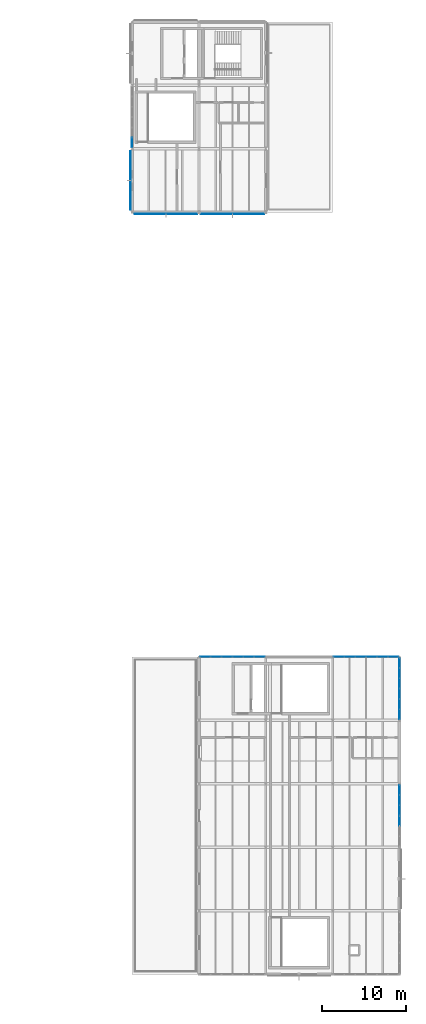
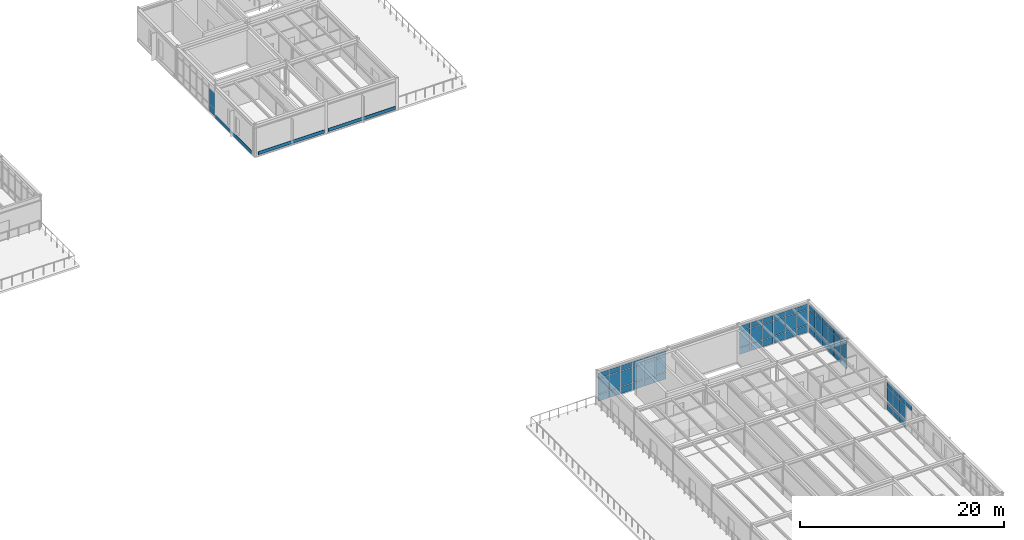
# One storey, part 45 of 65: 69 plates, 5 elements without a shape of their own.
"""IFC4 building model written with IfcOpenShell, lengths in metres."""

from ifc_helpers import new_model, si_unit, direction, frame, origin, origin_2d, place, context, subcontext, project, spatial, rectangle, extrude, material, layer, layer_set, type_object, element, aggregate, save


model = new_model("IFC4")

# Units and contexts
model_context = context("Model", 3, precision=1e-05, world=origin(), true_north=direction((0.0, 1.0)))
body_context = subcontext(model_context, "Body", "Model", "MODEL_VIEW")
ifc_project = project(units=[si_unit("LENGTHUNIT", "METRE"), si_unit("AREAUNIT", "SQUARE_METRE"), si_unit("VOLUMEUNIT", "CUBIC_METRE"), si_unit("PLANEANGLEUNIT", "RADIAN"), si_unit("MASSUNIT", "GRAM", prefix="KILO")], contexts=[model_context])

# Site, building, storey
site_placement = place(None, origin())
site = spatial("IfcSite", under=ifc_project, at=site_placement, CompositionType="ELEMENT")
building_placement = place(site_placement, origin())
building = spatial("IfcBuilding", under=site, at=building_placement, Name="Montecoro Central Library", CompositionType="ELEMENT")
storey_placement = place(building_placement, frame((0.0, 0.0, 17.340087890625)))
storey = spatial("IfcBuildingStorey", under=building, at=storey_placement, Name="L04", CompositionType="ELEMENT", Elevation=17.340087890625)

# Curtain wall, plates
ifc_material_1 = material(Name="Bronze-anodised aluminium and low-E glazing", Category="aluminium")
ifc_layer_1 = layer(ifc_material_1, 0.159912109375)
ifc_layer_set_1 = layer_set([ifc_layer_1], Name="Bronze-anodised aluminium and low-E glazing")
curtain_wall_type_1 = type_object("IfcCurtainWallType", Name="CWT-074", PredefinedType="NOTDEFINED", material=ifc_layer_set_1)
curtain_wall_1_placement = place(storey_placement, origin())
curtain_wall_1 = element("IfcCurtainWall", 1, at=curtain_wall_1_placement, inside=storey, type_object=curtain_wall_type_1, Name="V6-L04-CW-N0", PredefinedType="NOTDEFINED")
ifc_material_2 = material(Name="Laminated low-E double glazing", Category="glass")
ifc_layer_2 = layer(ifc_material_2, 0.02587890625)
ifc_layer_set_2 = layer_set([ifc_layer_2], Name="Laminated low-E double glazing")
plate_type_1 = type_object("IfcPlateType", Name="CWP-GLZ-01", PredefinedType="CURTAIN_PANEL", material=ifc_layer_set_2)
plate_1_placement = place(storey_placement, frame((156.24072265625, 43.0, 0.059814453125), z_axis=(0.0, 0.0, 1.0), x_axis=(-1.0, 0.0, 0.0)))
plate_1 = element("IfcPlate", 2, at=plate_1_placement, type_object=plate_type_1, Name="CW-074 panel 1.1", PredefinedType="CURTAIN_PANEL", context=body_context, shape_type="SweptSolid", body=[
    extrude(rectangle(XDim=1.21240234375, YDim=0.02587890625, at=origin_2d()), origin(), (0.0, 0.0, 1.0), 0.81005859375),
])
plate_2_placement = place(storey_placement, frame((156.24072265625, 43.0, 0.9296875), z_axis=(0.0, 0.0, 1.0), x_axis=(-1.0, 0.0, 0.0)))
plate_2 = element("IfcPlate", 3, at=plate_2_placement, type_object=plate_type_1, Name="CW-074 panel 1.2", PredefinedType="CURTAIN_PANEL", context=body_context, shape_type="SweptSolid", body=[
    extrude(rectangle(XDim=1.21240234375, YDim=0.02587890625, at=origin_2d()), origin(), (0.0, 0.0, 1.0), 1.820068359375),
])
plate_3_placement = place(storey_placement, frame((156.24072265625, 43.0, 2.81005859375), z_axis=(0.0, 0.0, 1.0), x_axis=(-1.0, 0.0, 0.0)))
plate_3 = element("IfcPlate", 4, at=plate_3_placement, type_object=plate_type_1, Name="CW-074 panel 1.3", PredefinedType="CURTAIN_PANEL", context=body_context, shape_type="SweptSolid", body=[
    extrude(rectangle(XDim=1.21240234375, YDim=0.02587890625, at=origin_2d()), origin(), (0.0, 0.0, 1.0), 0.610107421875),
])
plate_4_placement = place(storey_placement, frame((154.95361328125, 43.0, 0.059814453125), z_axis=(0.0, 0.0, 1.0), x_axis=(-1.0, 0.0, 0.0)))
plate_4 = element("IfcPlate", 5, at=plate_4_placement, type_object=plate_type_1, Name="CW-074 panel 2.1", PredefinedType="CURTAIN_PANEL", context=body_context, shape_type="SweptSolid", body=[
    extrude(rectangle(XDim=1.242431640625, YDim=0.02587890625, at=origin_2d()), origin(), (0.0, 0.0, 1.0), 0.81005859375),
])
plate_5_placement = place(storey_placement, frame((154.95361328125, 43.0, 0.9296875), z_axis=(0.0, 0.0, 1.0), x_axis=(-1.0, 0.0, 0.0)))
plate_5 = element("IfcPlate", 6, at=plate_5_placement, type_object=plate_type_1, Name="CW-074 panel 2.2", PredefinedType="CURTAIN_PANEL", context=body_context, shape_type="SweptSolid", body=[
    extrude(rectangle(XDim=1.242431640625, YDim=0.02587890625, at=origin_2d()), origin(), (0.0, 0.0, 1.0), 1.820068359375),
])
plate_6_placement = place(storey_placement, frame((154.95361328125, 43.0, 2.81005859375), z_axis=(0.0, 0.0, 1.0), x_axis=(-1.0, 0.0, 0.0)))
plate_6 = element("IfcPlate", 7, at=plate_6_placement, type_object=plate_type_1, Name="CW-074 panel 2.3", PredefinedType="CURTAIN_PANEL", context=body_context, shape_type="SweptSolid", body=[
    extrude(rectangle(XDim=1.242431640625, YDim=0.02587890625, at=origin_2d()), origin(), (0.0, 0.0, 1.0), 0.610107421875),
])
plate_7_placement = place(storey_placement, frame((153.651123046875, 43.0, 0.059814453125), z_axis=(0.0, 0.0, 1.0), x_axis=(-1.0, 0.0, 0.0)))
plate_7 = element("IfcPlate", 8, at=plate_7_placement, type_object=plate_type_1, Name="CW-074 panel 3.1", PredefinedType="CURTAIN_PANEL", context=body_context, shape_type="SweptSolid", body=[
    extrude(rectangle(XDim=1.242431640625, YDim=0.02587890625, at=origin_2d()), origin(), (0.0, 0.0, 1.0), 0.81005859375),
])
plate_8_placement = place(storey_placement, frame((153.651123046875, 43.0, 0.9296875), z_axis=(0.0, 0.0, 1.0), x_axis=(-1.0, 0.0, 0.0)))
plate_8 = element("IfcPlate", 9, at=plate_8_placement, type_object=plate_type_1, Name="CW-074 panel 3.2", PredefinedType="CURTAIN_PANEL", context=body_context, shape_type="SweptSolid", body=[
    extrude(rectangle(XDim=1.242431640625, YDim=0.02587890625, at=origin_2d()), origin(), (0.0, 0.0, 1.0), 1.820068359375),
])
plate_9_placement = place(storey_placement, frame((153.651123046875, 43.0, 2.81005859375), z_axis=(0.0, 0.0, 1.0), x_axis=(-1.0, 0.0, 0.0)))
plate_9 = element("IfcPlate", 10, at=plate_9_placement, type_object=plate_type_1, Name="CW-074 panel 3.3", PredefinedType="CURTAIN_PANEL", context=body_context, shape_type="SweptSolid", body=[
    extrude(rectangle(XDim=1.242431640625, YDim=0.02587890625, at=origin_2d()), origin(), (0.0, 0.0, 1.0), 0.610107421875),
])
plate_10_placement = place(storey_placement, frame((152.348876953125, 43.0, 0.059814453125), z_axis=(0.0, 0.0, 1.0), x_axis=(-1.0, 0.0, 0.0)))
plate_10 = element("IfcPlate", 11, at=plate_10_placement, type_object=plate_type_1, Name="CW-074 panel 4.1", PredefinedType="CURTAIN_PANEL", context=body_context, shape_type="SweptSolid", body=[
    extrude(rectangle(XDim=1.242431640625, YDim=0.02587890625, at=origin_2d()), origin(), (0.0, 0.0, 1.0), 0.81005859375),
])
plate_11_placement = place(storey_placement, frame((152.348876953125, 43.0, 0.9296875), z_axis=(0.0, 0.0, 1.0), x_axis=(-1.0, 0.0, 0.0)))
plate_11 = element("IfcPlate", 12, at=plate_11_placement, type_object=plate_type_1, Name="CW-074 panel 4.2", PredefinedType="CURTAIN_PANEL", context=body_context, shape_type="SweptSolid", body=[
    extrude(rectangle(XDim=1.242431640625, YDim=0.02587890625, at=origin_2d()), origin(), (0.0, 0.0, 1.0), 1.820068359375),
])
plate_12_placement = place(storey_placement, frame((152.348876953125, 43.0, 2.81005859375), z_axis=(0.0, 0.0, 1.0), x_axis=(-1.0, 0.0, 0.0)))
plate_12 = element("IfcPlate", 13, at=plate_12_placement, type_object=plate_type_1, Name="CW-074 panel 4.3", PredefinedType="CURTAIN_PANEL", context=body_context, shape_type="SweptSolid", body=[
    extrude(rectangle(XDim=1.242431640625, YDim=0.02587890625, at=origin_2d()), origin(), (0.0, 0.0, 1.0), 0.610107421875),
])
plate_13_placement = place(storey_placement, frame((151.04638671875, 43.0, 0.059814453125), z_axis=(0.0, 0.0, 1.0), x_axis=(-1.0, 0.0, 0.0)))
plate_13 = element("IfcPlate", 14, at=plate_13_placement, type_object=plate_type_1, Name="CW-074 panel 5.1", PredefinedType="CURTAIN_PANEL", context=body_context, shape_type="SweptSolid", body=[
    extrude(rectangle(XDim=1.242431640625, YDim=0.02587890625, at=origin_2d()), origin(), (0.0, 0.0, 1.0), 0.81005859375),
])
plate_14_placement = place(storey_placement, frame((151.04638671875, 43.0, 0.9296875), z_axis=(0.0, 0.0, 1.0), x_axis=(-1.0, 0.0, 0.0)))
plate_14 = element("IfcPlate", 15, at=plate_14_placement, type_object=plate_type_1, Name="CW-074 panel 5.2", PredefinedType="CURTAIN_PANEL", context=body_context, shape_type="SweptSolid", body=[
    extrude(rectangle(XDim=1.242431640625, YDim=0.02587890625, at=origin_2d()), origin(), (0.0, 0.0, 1.0), 1.820068359375),
])
plate_15_placement = place(storey_placement, frame((151.04638671875, 43.0, 2.81005859375), z_axis=(0.0, 0.0, 1.0), x_axis=(-1.0, 0.0, 0.0)))
plate_15 = element("IfcPlate", 16, at=plate_15_placement, type_object=plate_type_1, Name="CW-074 panel 5.3", PredefinedType="CURTAIN_PANEL", context=body_context, shape_type="SweptSolid", body=[
    extrude(rectangle(XDim=1.242431640625, YDim=0.02587890625, at=origin_2d()), origin(), (0.0, 0.0, 1.0), 0.610107421875),
])
plate_16_placement = place(storey_placement, frame((149.75927734375, 43.0, 0.059814453125), z_axis=(0.0, 0.0, 1.0), x_axis=(-1.0, 0.0, 0.0)))
plate_16 = element("IfcPlate", 17, at=plate_16_placement, type_object=plate_type_1, Name="CW-074 panel 6.1", PredefinedType="CURTAIN_PANEL", context=body_context, shape_type="SweptSolid", body=[
    extrude(rectangle(XDim=1.21240234375, YDim=0.02587890625, at=origin_2d()), origin(), (0.0, 0.0, 1.0), 0.81005859375),
])
plate_17_placement = place(storey_placement, frame((149.75927734375, 43.0, 0.9296875), z_axis=(0.0, 0.0, 1.0), x_axis=(-1.0, 0.0, 0.0)))
plate_17 = element("IfcPlate", 18, at=plate_17_placement, type_object=plate_type_1, Name="CW-074 panel 6.2", PredefinedType="CURTAIN_PANEL", context=body_context, shape_type="SweptSolid", body=[
    extrude(rectangle(XDim=1.21240234375, YDim=0.02587890625, at=origin_2d()), origin(), (0.0, 0.0, 1.0), 1.820068359375),
])
plate_18_placement = place(storey_placement, frame((149.75927734375, 43.0, 2.81005859375), z_axis=(0.0, 0.0, 1.0), x_axis=(-1.0, 0.0, 0.0)))
plate_18 = element("IfcPlate", 19, at=plate_18_placement, type_object=plate_type_1, Name="CW-074 panel 6.3", PredefinedType="CURTAIN_PANEL", context=body_context, shape_type="SweptSolid", body=[
    extrude(rectangle(XDim=1.21240234375, YDim=0.02587890625, at=origin_2d()), origin(), (0.0, 0.0, 1.0), 0.610107421875),
])
aggregate(curtain_wall_1, [plate_1, plate_2, plate_3, plate_4, plate_5, plate_6, plate_7, plate_8, plate_9, plate_10, plate_11, plate_12, plate_13, plate_14, plate_15, plate_16, plate_17, plate_18])

ifc_layer_3 = layer(ifc_material_1, 0.159912109375)
ifc_layer_set_3 = layer_set([ifc_layer_3], Name="Bronze-anodised aluminium and low-E glazing")
curtain_wall_type_2 = type_object("IfcCurtainWallType", Name="CWT-056", PredefinedType="NOTDEFINED", material=ifc_layer_set_3)
curtain_wall_2_placement = place(storey_placement, origin())
curtain_wall_2 = element("IfcCurtainWall", 20, at=curtain_wall_2_placement, inside=storey, type_object=curtain_wall_type_2, Name="V5-L04-CW-W1", PredefinedType="NOTDEFINED")
ifc_layer_4 = layer(ifc_material_2, 0.030029296875)
ifc_layer_set_4 = layer_set([ifc_layer_4], Name="Laminated low-E double glazing")
plate_type_2 = type_object("IfcPlateType", Name="CWP-GLZ-02", PredefinedType="CURTAIN_PANEL", material=ifc_layer_set_4)
plate_19_placement = place(storey_placement, frame((141.0, 104.52587890625, 0.059814453125), z_axis=(0.0, 0.0, 1.0), x_axis=(0.0, -1.0, 0.0)))
plate_19 = element("IfcPlate", 21, at=plate_19_placement, type_object=plate_type_2, Name="CW-056 panel 6.1", PredefinedType="CURTAIN_PANEL", context=body_context, shape_type="SweptSolid", body=[
    extrude(rectangle(XDim=1.145751953125, YDim=0.030029296875, at=origin_2d()), origin(), (0.0, 0.0, 1.0), 0.81005859375),
])
plate_20_placement = place(storey_placement, frame((141.0, 104.52587890625, 0.9296875), z_axis=(0.0, 0.0, 1.0), x_axis=(0.0, -1.0, 0.0)))
plate_20 = element("IfcPlate", 22, at=plate_20_placement, type_object=plate_type_2, Name="CW-056 panel 6.2", PredefinedType="CURTAIN_PANEL", context=body_context, shape_type="SweptSolid", body=[
    extrude(rectangle(XDim=1.145751953125, YDim=0.030029296875, at=origin_2d()), origin(), (0.0, 0.0, 1.0), 1.820068359375),
])
aggregate(curtain_wall_2, [plate_19, plate_20])

ifc_layer_5 = layer(ifc_material_1, 0.159912109375)
ifc_layer_set_5 = layer_set([ifc_layer_5], Name="Bronze-anodised aluminium and low-E glazing")
curtain_wall_type_3 = type_object("IfcCurtainWallType", Name="CWT-073", PredefinedType="NOTDEFINED", material=ifc_layer_set_5)
curtain_wall_3_placement = place(storey_placement, origin())
curtain_wall_3 = element("IfcCurtainWall", 23, at=curtain_wall_3_placement, inside=storey, type_object=curtain_wall_type_3, Name="V6-L04-CW-E2", PredefinedType="NOTDEFINED")
ifc_layer_6 = layer(ifc_material_2, 0.033935546875)
ifc_layer_set_6 = layer_set([ifc_layer_6], Name="Laminated low-E double glazing")
plate_type_3 = type_object("IfcPlateType", Name="CWP-GLZ-03", PredefinedType="CURTAIN_PANEL", material=ifc_layer_set_6)
plate_21_placement = place(storey_placement, frame((173.0, 23.382080078125, 2.81005859375), z_axis=(0.0, 0.0, 1.0), x_axis=(0.0, 1.0, 0.0)))
plate_21 = element("IfcPlate", 24, at=plate_21_placement, type_object=plate_type_3, Name="CW-073 panel 3.3", PredefinedType="CURTAIN_PANEL", context=body_context, shape_type="SweptSolid", body=[
    extrude(rectangle(XDim=1.17578125, YDim=0.033935546875, at=origin_2d()), origin(), (0.0, 0.0, 1.0), 0.610107421875),
])
plate_22_placement = place(storey_placement, frame((173.0, 24.617919921875, 0.059814453125), z_axis=(0.0, 0.0, 1.0), x_axis=(0.0, 1.0, 0.0)))
plate_22 = element("IfcPlate", 25, at=plate_22_placement, type_object=plate_type_3, Name="CW-073 panel 4.1", PredefinedType="CURTAIN_PANEL", context=body_context, shape_type="SweptSolid", body=[
    extrude(rectangle(XDim=1.17578125, YDim=0.033935546875, at=origin_2d()), origin(), (0.0, 0.0, 1.0), 0.81005859375),
])
plate_23_placement = place(storey_placement, frame((173.0, 24.617919921875, 0.9296875), z_axis=(0.0, 0.0, 1.0), x_axis=(0.0, 1.0, 0.0)))
plate_23 = element("IfcPlate", 26, at=plate_23_placement, type_object=plate_type_3, Name="CW-073 panel 4.2", PredefinedType="CURTAIN_PANEL", context=body_context, shape_type="SweptSolid", body=[
    extrude(rectangle(XDim=1.17578125, YDim=0.033935546875, at=origin_2d()), origin(), (0.0, 0.0, 1.0), 1.820068359375),
])
plate_24_placement = place(storey_placement, frame((173.0, 24.617919921875, 2.81005859375), z_axis=(0.0, 0.0, 1.0), x_axis=(0.0, 1.0, 0.0)))
plate_24 = element("IfcPlate", 27, at=plate_24_placement, type_object=plate_type_3, Name="CW-073 panel 4.3", PredefinedType="CURTAIN_PANEL", context=body_context, shape_type="SweptSolid", body=[
    extrude(rectangle(XDim=1.17578125, YDim=0.033935546875, at=origin_2d()), origin(), (0.0, 0.0, 1.0), 0.610107421875),
])
plate_25_placement = place(storey_placement, frame((173.0, 25.853515625, 0.059814453125), z_axis=(0.0, 0.0, 1.0), x_axis=(0.0, 1.0, 0.0)))
plate_25 = element("IfcPlate", 28, at=plate_25_placement, type_object=plate_type_3, Name="CW-073 panel 5.1", PredefinedType="CURTAIN_PANEL", context=body_context, shape_type="SweptSolid", body=[
    extrude(rectangle(XDim=1.17578125, YDim=0.033935546875, at=origin_2d()), origin(), (0.0, 0.0, 1.0), 0.81005859375),
])
plate_26_placement = place(storey_placement, frame((173.0, 25.853515625, 0.9296875), z_axis=(0.0, 0.0, 1.0), x_axis=(0.0, 1.0, 0.0)))
plate_26 = element("IfcPlate", 29, at=plate_26_placement, type_object=plate_type_3, Name="CW-073 panel 5.2", PredefinedType="CURTAIN_PANEL", context=body_context, shape_type="SweptSolid", body=[
    extrude(rectangle(XDim=1.17578125, YDim=0.033935546875, at=origin_2d()), origin(), (0.0, 0.0, 1.0), 1.820068359375),
])
plate_27_placement = place(storey_placement, frame((173.0, 25.853515625, 2.81005859375), z_axis=(0.0, 0.0, 1.0), x_axis=(0.0, 1.0, 0.0)))
plate_27 = element("IfcPlate", 30, at=plate_27_placement, type_object=plate_type_3, Name="CW-073 panel 5.3", PredefinedType="CURTAIN_PANEL", context=body_context, shape_type="SweptSolid", body=[
    extrude(rectangle(XDim=1.17578125, YDim=0.033935546875, at=origin_2d()), origin(), (0.0, 0.0, 1.0), 0.610107421875),
])
plate_28_placement = place(storey_placement, frame((173.0, 27.07421875, 0.059814453125), z_axis=(0.0, 0.0, 1.0), x_axis=(0.0, 1.0, 0.0)))
plate_28 = element("IfcPlate", 31, at=plate_28_placement, type_object=plate_type_3, Name="CW-073 panel 6.1", PredefinedType="CURTAIN_PANEL", context=body_context, shape_type="SweptSolid", body=[
    extrude(rectangle(XDim=1.145751953125, YDim=0.033935546875, at=origin_2d()), origin(), (0.0, 0.0, 1.0), 0.81005859375),
])
plate_29_placement = place(storey_placement, frame((173.0, 27.07421875, 0.9296875), z_axis=(0.0, 0.0, 1.0), x_axis=(0.0, 1.0, 0.0)))
plate_29 = element("IfcPlate", 32, at=plate_29_placement, type_object=plate_type_3, Name="CW-073 panel 6.2", PredefinedType="CURTAIN_PANEL", context=body_context, shape_type="SweptSolid", body=[
    extrude(rectangle(XDim=1.145751953125, YDim=0.033935546875, at=origin_2d()), origin(), (0.0, 0.0, 1.0), 1.820068359375),
])
plate_30_placement = place(storey_placement, frame((173.0, 27.07421875, 2.81005859375), z_axis=(0.0, 0.0, 1.0), x_axis=(0.0, 1.0, 0.0)))
plate_30 = element("IfcPlate", 33, at=plate_30_placement, type_object=plate_type_3, Name="CW-073 panel 6.3", PredefinedType="CURTAIN_PANEL", context=body_context, shape_type="SweptSolid", body=[
    extrude(rectangle(XDim=1.145751953125, YDim=0.033935546875, at=origin_2d()), origin(), (0.0, 0.0, 1.0), 0.610107421875),
])
aggregate(curtain_wall_3, [plate_21, plate_22, plate_23, plate_24, plate_25, plate_26, plate_27, plate_28, plate_29, plate_30])

curtain_wall_4_placement = place(storey_placement, origin())
curtain_wall_4 = element("IfcCurtainWall", 34, at=curtain_wall_4_placement, inside=storey, type_object=curtain_wall_type_1, Name="V6-L04-CW-N2", PredefinedType="NOTDEFINED")
plate_31_placement = place(storey_placement, frame((172.24072265625, 43.0, 0.059814453125), z_axis=(0.0, 0.0, 1.0), x_axis=(-1.0, 0.0, 0.0)))
plate_31 = element("IfcPlate", 35, at=plate_31_placement, type_object=plate_type_3, Name="CW-074 panel 1.1", PredefinedType="CURTAIN_PANEL", context=body_context, shape_type="SweptSolid", body=[
    extrude(rectangle(XDim=1.21240234375, YDim=0.033935546875, at=origin_2d()), origin(), (0.0, 0.0, 1.0), 0.81005859375),
])
plate_32_placement = place(storey_placement, frame((172.24072265625, 43.0, 0.9296875), z_axis=(0.0, 0.0, 1.0), x_axis=(-1.0, 0.0, 0.0)))
plate_32 = element("IfcPlate", 36, at=plate_32_placement, type_object=plate_type_3, Name="CW-074 panel 1.2", PredefinedType="CURTAIN_PANEL", context=body_context, shape_type="SweptSolid", body=[
    extrude(rectangle(XDim=1.21240234375, YDim=0.033935546875, at=origin_2d()), origin(), (0.0, 0.0, 1.0), 1.820068359375),
])
plate_33_placement = place(storey_placement, frame((172.24072265625, 43.0, 2.81005859375), z_axis=(0.0, 0.0, 1.0), x_axis=(-1.0, 0.0, 0.0)))
plate_33 = element("IfcPlate", 37, at=plate_33_placement, type_object=plate_type_3, Name="CW-074 panel 1.3", PredefinedType="CURTAIN_PANEL", context=body_context, shape_type="SweptSolid", body=[
    extrude(rectangle(XDim=1.21240234375, YDim=0.033935546875, at=origin_2d()), origin(), (0.0, 0.0, 1.0), 0.610107421875),
])
plate_34_placement = place(storey_placement, frame((170.95361328125, 43.0, 0.059814453125), z_axis=(0.0, 0.0, 1.0), x_axis=(-1.0, 0.0, 0.0)))
plate_34 = element("IfcPlate", 38, at=plate_34_placement, type_object=plate_type_3, Name="CW-074 panel 2.1", PredefinedType="CURTAIN_PANEL", context=body_context, shape_type="SweptSolid", body=[
    extrude(rectangle(XDim=1.242431640625, YDim=0.033935546875, at=origin_2d()), origin(), (0.0, 0.0, 1.0), 0.81005859375),
])
plate_35_placement = place(storey_placement, frame((170.95361328125, 43.0, 0.9296875), z_axis=(0.0, 0.0, 1.0), x_axis=(-1.0, 0.0, 0.0)))
plate_35 = element("IfcPlate", 39, at=plate_35_placement, type_object=plate_type_3, Name="CW-074 panel 2.2", PredefinedType="CURTAIN_PANEL", context=body_context, shape_type="SweptSolid", body=[
    extrude(rectangle(XDim=1.242431640625, YDim=0.033935546875, at=origin_2d()), origin(), (0.0, 0.0, 1.0), 1.820068359375),
])
plate_36_placement = place(storey_placement, frame((170.95361328125, 43.0, 2.81005859375), z_axis=(0.0, 0.0, 1.0), x_axis=(-1.0, 0.0, 0.0)))
plate_36 = element("IfcPlate", 40, at=plate_36_placement, type_object=plate_type_3, Name="CW-074 panel 2.3", PredefinedType="CURTAIN_PANEL", context=body_context, shape_type="SweptSolid", body=[
    extrude(rectangle(XDim=1.242431640625, YDim=0.033935546875, at=origin_2d()), origin(), (0.0, 0.0, 1.0), 0.610107421875),
])
plate_37_placement = place(storey_placement, frame((169.651123046875, 43.0, 0.059814453125), z_axis=(0.0, 0.0, 1.0), x_axis=(-1.0, 0.0, 0.0)))
plate_37 = element("IfcPlate", 41, at=plate_37_placement, type_object=plate_type_3, Name="CW-074 panel 3.1", PredefinedType="CURTAIN_PANEL", context=body_context, shape_type="SweptSolid", body=[
    extrude(rectangle(XDim=1.242431640625, YDim=0.033935546875, at=origin_2d()), origin(), (0.0, 0.0, 1.0), 0.81005859375),
])
plate_38_placement = place(storey_placement, frame((169.651123046875, 43.0, 0.9296875), z_axis=(0.0, 0.0, 1.0), x_axis=(-1.0, 0.0, 0.0)))
plate_38 = element("IfcPlate", 42, at=plate_38_placement, type_object=plate_type_3, Name="CW-074 panel 3.2", PredefinedType="CURTAIN_PANEL", context=body_context, shape_type="SweptSolid", body=[
    extrude(rectangle(XDim=1.242431640625, YDim=0.033935546875, at=origin_2d()), origin(), (0.0, 0.0, 1.0), 1.820068359375),
])
plate_39_placement = place(storey_placement, frame((169.651123046875, 43.0, 2.81005859375), z_axis=(0.0, 0.0, 1.0), x_axis=(-1.0, 0.0, 0.0)))
plate_39 = element("IfcPlate", 43, at=plate_39_placement, type_object=plate_type_3, Name="CW-074 panel 3.3", PredefinedType="CURTAIN_PANEL", context=body_context, shape_type="SweptSolid", body=[
    extrude(rectangle(XDim=1.242431640625, YDim=0.033935546875, at=origin_2d()), origin(), (0.0, 0.0, 1.0), 0.610107421875),
])
plate_40_placement = place(storey_placement, frame((168.348876953125, 43.0, 0.059814453125), z_axis=(0.0, 0.0, 1.0), x_axis=(-1.0, 0.0, 0.0)))
plate_40 = element("IfcPlate", 44, at=plate_40_placement, type_object=plate_type_3, Name="CW-074 panel 4.1", PredefinedType="CURTAIN_PANEL", context=body_context, shape_type="SweptSolid", body=[
    extrude(rectangle(XDim=1.242431640625, YDim=0.033935546875, at=origin_2d()), origin(), (0.0, 0.0, 1.0), 0.81005859375),
])
plate_41_placement = place(storey_placement, frame((168.348876953125, 43.0, 0.9296875), z_axis=(0.0, 0.0, 1.0), x_axis=(-1.0, 0.0, 0.0)))
plate_41 = element("IfcPlate", 45, at=plate_41_placement, type_object=plate_type_3, Name="CW-074 panel 4.2", PredefinedType="CURTAIN_PANEL", context=body_context, shape_type="SweptSolid", body=[
    extrude(rectangle(XDim=1.242431640625, YDim=0.033935546875, at=origin_2d()), origin(), (0.0, 0.0, 1.0), 1.820068359375),
])
plate_42_placement = place(storey_placement, frame((168.348876953125, 43.0, 2.81005859375), z_axis=(0.0, 0.0, 1.0), x_axis=(-1.0, 0.0, 0.0)))
plate_42 = element("IfcPlate", 46, at=plate_42_placement, type_object=plate_type_3, Name="CW-074 panel 4.3", PredefinedType="CURTAIN_PANEL", context=body_context, shape_type="SweptSolid", body=[
    extrude(rectangle(XDim=1.242431640625, YDim=0.033935546875, at=origin_2d()), origin(), (0.0, 0.0, 1.0), 0.610107421875),
])
plate_43_placement = place(storey_placement, frame((167.04638671875, 43.0, 0.059814453125), z_axis=(0.0, 0.0, 1.0), x_axis=(-1.0, 0.0, 0.0)))
plate_43 = element("IfcPlate", 47, at=plate_43_placement, type_object=plate_type_3, Name="CW-074 panel 5.1", PredefinedType="CURTAIN_PANEL", context=body_context, shape_type="SweptSolid", body=[
    extrude(rectangle(XDim=1.242431640625, YDim=0.033935546875, at=origin_2d()), origin(), (0.0, 0.0, 1.0), 0.81005859375),
])
plate_44_placement = place(storey_placement, frame((167.04638671875, 43.0, 0.9296875), z_axis=(0.0, 0.0, 1.0), x_axis=(-1.0, 0.0, 0.0)))
plate_44 = element("IfcPlate", 48, at=plate_44_placement, type_object=plate_type_3, Name="CW-074 panel 5.2", PredefinedType="CURTAIN_PANEL", context=body_context, shape_type="SweptSolid", body=[
    extrude(rectangle(XDim=1.242431640625, YDim=0.033935546875, at=origin_2d()), origin(), (0.0, 0.0, 1.0), 1.820068359375),
])
plate_45_placement = place(storey_placement, frame((167.04638671875, 43.0, 2.81005859375), z_axis=(0.0, 0.0, 1.0), x_axis=(-1.0, 0.0, 0.0)))
plate_45 = element("IfcPlate", 49, at=plate_45_placement, type_object=plate_type_3, Name="CW-074 panel 5.3", PredefinedType="CURTAIN_PANEL", context=body_context, shape_type="SweptSolid", body=[
    extrude(rectangle(XDim=1.242431640625, YDim=0.033935546875, at=origin_2d()), origin(), (0.0, 0.0, 1.0), 0.610107421875),
])
plate_46_placement = place(storey_placement, frame((165.75927734375, 43.0, 0.059814453125), z_axis=(0.0, 0.0, 1.0), x_axis=(-1.0, 0.0, 0.0)))
plate_46 = element("IfcPlate", 50, at=plate_46_placement, type_object=plate_type_3, Name="CW-074 panel 6.1", PredefinedType="CURTAIN_PANEL", context=body_context, shape_type="SweptSolid", body=[
    extrude(rectangle(XDim=1.21240234375, YDim=0.033935546875, at=origin_2d()), origin(), (0.0, 0.0, 1.0), 0.81005859375),
])
plate_47_placement = place(storey_placement, frame((165.75927734375, 43.0, 0.9296875), z_axis=(0.0, 0.0, 1.0), x_axis=(-1.0, 0.0, 0.0)))
plate_47 = element("IfcPlate", 51, at=plate_47_placement, type_object=plate_type_3, Name="CW-074 panel 6.2", PredefinedType="CURTAIN_PANEL", context=body_context, shape_type="SweptSolid", body=[
    extrude(rectangle(XDim=1.21240234375, YDim=0.033935546875, at=origin_2d()), origin(), (0.0, 0.0, 1.0), 1.820068359375),
])
plate_48_placement = place(storey_placement, frame((165.75927734375, 43.0, 2.81005859375), z_axis=(0.0, 0.0, 1.0), x_axis=(-1.0, 0.0, 0.0)))
plate_48 = element("IfcPlate", 52, at=plate_48_placement, type_object=plate_type_3, Name="CW-074 panel 6.3", PredefinedType="CURTAIN_PANEL", context=body_context, shape_type="SweptSolid", body=[
    extrude(rectangle(XDim=1.21240234375, YDim=0.033935546875, at=origin_2d()), origin(), (0.0, 0.0, 1.0), 0.610107421875),
])
aggregate(curtain_wall_4, [plate_31, plate_32, plate_33, plate_34, plate_35, plate_36, plate_37, plate_38, plate_39, plate_40, plate_41, plate_42, plate_43, plate_44, plate_45, plate_46, plate_47, plate_48])

curtain_wall_5_placement = place(storey_placement, origin())
curtain_wall_5 = element("IfcCurtainWall", 53, at=curtain_wall_5_placement, inside=storey, type_object=curtain_wall_type_3, Name="V6-L04-CW-E4", PredefinedType="NOTDEFINED")
ifc_layer_7 = layer(ifc_material_2, 0.0419921875)
ifc_layer_set_7 = layer_set([ifc_layer_7], Name="Laminated low-E double glazing")
plate_type_4 = type_object("IfcPlateType", Name="CWP-GLZ-05", PredefinedType="CURTAIN_PANEL", material=ifc_layer_set_7)
plate_49_placement = place(storey_placement, frame((173.0, 36.125732421875, 0.059814453125), z_axis=(0.0, 0.0, 1.0), x_axis=(0.0, 1.0, 0.0)))
plate_49 = element("IfcPlate", 54, at=plate_49_placement, type_object=plate_type_4, Name="CW-073 panel 1.1", PredefinedType="CURTAIN_PANEL", context=body_context, shape_type="SweptSolid", body=[
    extrude(rectangle(XDim=1.145751953125, YDim=0.0419921875, at=origin_2d()), origin(), (0.0, 0.0, 1.0), 0.81005859375),
])
plate_50_placement = place(storey_placement, frame((173.0, 36.125732421875, 0.9296875), z_axis=(0.0, 0.0, 1.0), x_axis=(0.0, 1.0, 0.0)))
plate_50 = element("IfcPlate", 55, at=plate_50_placement, type_object=plate_type_4, Name="CW-073 panel 1.2", PredefinedType="CURTAIN_PANEL", context=body_context, shape_type="SweptSolid", body=[
    extrude(rectangle(XDim=1.145751953125, YDim=0.0419921875, at=origin_2d()), origin(), (0.0, 0.0, 1.0), 1.820068359375),
])
plate_51_placement = place(storey_placement, frame((173.0, 36.125732421875, 2.81005859375), z_axis=(0.0, 0.0, 1.0), x_axis=(0.0, 1.0, 0.0)))
plate_51 = element("IfcPlate", 56, at=plate_51_placement, type_object=plate_type_4, Name="CW-073 panel 1.3", PredefinedType="CURTAIN_PANEL", context=body_context, shape_type="SweptSolid", body=[
    extrude(rectangle(XDim=1.145751953125, YDim=0.0419921875, at=origin_2d()), origin(), (0.0, 0.0, 1.0), 0.610107421875),
])
plate_52_placement = place(storey_placement, frame((173.0, 37.346435546875, 0.059814453125), z_axis=(0.0, 0.0, 1.0), x_axis=(0.0, 1.0, 0.0)))
plate_52 = element("IfcPlate", 57, at=plate_52_placement, type_object=plate_type_4, Name="CW-073 panel 2.1", PredefinedType="CURTAIN_PANEL", context=body_context, shape_type="SweptSolid", body=[
    extrude(rectangle(XDim=1.17578125, YDim=0.0419921875, at=origin_2d()), origin(), (0.0, 0.0, 1.0), 0.81005859375),
])
plate_53_placement = place(storey_placement, frame((173.0, 37.346435546875, 0.9296875), z_axis=(0.0, 0.0, 1.0), x_axis=(0.0, 1.0, 0.0)))
plate_53 = element("IfcPlate", 58, at=plate_53_placement, type_object=plate_type_4, Name="CW-073 panel 2.2", PredefinedType="CURTAIN_PANEL", context=body_context, shape_type="SweptSolid", body=[
    extrude(rectangle(XDim=1.17578125, YDim=0.0419921875, at=origin_2d()), origin(), (0.0, 0.0, 1.0), 1.820068359375),
])
plate_54_placement = place(storey_placement, frame((173.0, 37.346435546875, 2.81005859375), z_axis=(0.0, 0.0, 1.0), x_axis=(0.0, 1.0, 0.0)))
plate_54 = element("IfcPlate", 59, at=plate_54_placement, type_object=plate_type_4, Name="CW-073 panel 2.3", PredefinedType="CURTAIN_PANEL", context=body_context, shape_type="SweptSolid", body=[
    extrude(rectangle(XDim=1.17578125, YDim=0.0419921875, at=origin_2d()), origin(), (0.0, 0.0, 1.0), 0.610107421875),
])
plate_55_placement = place(storey_placement, frame((173.0, 38.582275390625, 0.059814453125), z_axis=(0.0, 0.0, 1.0), x_axis=(0.0, 1.0, 0.0)))
plate_55 = element("IfcPlate", 60, at=plate_55_placement, type_object=plate_type_4, Name="CW-073 panel 3.1", PredefinedType="CURTAIN_PANEL", context=body_context, shape_type="SweptSolid", body=[
    extrude(rectangle(XDim=1.17578125, YDim=0.0419921875, at=origin_2d()), origin(), (0.0, 0.0, 1.0), 0.81005859375),
])
plate_56_placement = place(storey_placement, frame((173.0, 38.582275390625, 0.9296875), z_axis=(0.0, 0.0, 1.0), x_axis=(0.0, 1.0, 0.0)))
plate_56 = element("IfcPlate", 61, at=plate_56_placement, type_object=plate_type_4, Name="CW-073 panel 3.2", PredefinedType="CURTAIN_PANEL", context=body_context, shape_type="SweptSolid", body=[
    extrude(rectangle(XDim=1.17578125, YDim=0.0419921875, at=origin_2d()), origin(), (0.0, 0.0, 1.0), 1.820068359375),
])
plate_57_placement = place(storey_placement, frame((173.0, 38.582275390625, 2.81005859375), z_axis=(0.0, 0.0, 1.0), x_axis=(0.0, 1.0, 0.0)))
plate_57 = element("IfcPlate", 62, at=plate_57_placement, type_object=plate_type_4, Name="CW-073 panel 3.3", PredefinedType="CURTAIN_PANEL", context=body_context, shape_type="SweptSolid", body=[
    extrude(rectangle(XDim=1.17578125, YDim=0.0419921875, at=origin_2d()), origin(), (0.0, 0.0, 1.0), 0.610107421875),
])
plate_58_placement = place(storey_placement, frame((173.0, 39.81787109375, 0.059814453125), z_axis=(0.0, 0.0, 1.0), x_axis=(0.0, 1.0, 0.0)))
plate_58 = element("IfcPlate", 63, at=plate_58_placement, type_object=plate_type_4, Name="CW-073 panel 4.1", PredefinedType="CURTAIN_PANEL", context=body_context, shape_type="SweptSolid", body=[
    extrude(rectangle(XDim=1.17578125, YDim=0.0419921875, at=origin_2d()), origin(), (0.0, 0.0, 1.0), 0.81005859375),
])
plate_59_placement = place(storey_placement, frame((173.0, 39.81787109375, 0.9296875), z_axis=(0.0, 0.0, 1.0), x_axis=(0.0, 1.0, 0.0)))
plate_59 = element("IfcPlate", 64, at=plate_59_placement, type_object=plate_type_4, Name="CW-073 panel 4.2", PredefinedType="CURTAIN_PANEL", context=body_context, shape_type="SweptSolid", body=[
    extrude(rectangle(XDim=1.17578125, YDim=0.0419921875, at=origin_2d()), origin(), (0.0, 0.0, 1.0), 1.820068359375),
])
plate_60_placement = place(storey_placement, frame((173.0, 39.81787109375, 2.81005859375), z_axis=(0.0, 0.0, 1.0), x_axis=(0.0, 1.0, 0.0)))
plate_60 = element("IfcPlate", 65, at=plate_60_placement, type_object=plate_type_4, Name="CW-073 panel 4.3", PredefinedType="CURTAIN_PANEL", context=body_context, shape_type="SweptSolid", body=[
    extrude(rectangle(XDim=1.17578125, YDim=0.0419921875, at=origin_2d()), origin(), (0.0, 0.0, 1.0), 0.610107421875),
])
plate_61_placement = place(storey_placement, frame((173.0, 41.053466796875, 0.059814453125), z_axis=(0.0, 0.0, 1.0), x_axis=(0.0, 1.0, 0.0)))
plate_61 = element("IfcPlate", 66, at=plate_61_placement, type_object=plate_type_4, Name="CW-073 panel 5.1", PredefinedType="CURTAIN_PANEL", context=body_context, shape_type="SweptSolid", body=[
    extrude(rectangle(XDim=1.17578125, YDim=0.0419921875, at=origin_2d()), origin(), (0.0, 0.0, 1.0), 0.81005859375),
])
plate_62_placement = place(storey_placement, frame((173.0, 41.053466796875, 0.9296875), z_axis=(0.0, 0.0, 1.0), x_axis=(0.0, 1.0, 0.0)))
plate_62 = element("IfcPlate", 67, at=plate_62_placement, type_object=plate_type_4, Name="CW-073 panel 5.2", PredefinedType="CURTAIN_PANEL", context=body_context, shape_type="SweptSolid", body=[
    extrude(rectangle(XDim=1.17578125, YDim=0.0419921875, at=origin_2d()), origin(), (0.0, 0.0, 1.0), 1.820068359375),
])
plate_63_placement = place(storey_placement, frame((173.0, 41.053466796875, 2.81005859375), z_axis=(0.0, 0.0, 1.0), x_axis=(0.0, 1.0, 0.0)))
plate_63 = element("IfcPlate", 68, at=plate_63_placement, type_object=plate_type_4, Name="CW-073 panel 5.3", PredefinedType="CURTAIN_PANEL", context=body_context, shape_type="SweptSolid", body=[
    extrude(rectangle(XDim=1.17578125, YDim=0.0419921875, at=origin_2d()), origin(), (0.0, 0.0, 1.0), 0.610107421875),
])
plate_64_placement = place(storey_placement, frame((173.0, 42.274169921875, 0.059814453125), z_axis=(0.0, 0.0, 1.0), x_axis=(0.0, 1.0, 0.0)))
plate_64 = element("IfcPlate", 69, at=plate_64_placement, type_object=plate_type_4, Name="CW-073 panel 6.1", PredefinedType="CURTAIN_PANEL", context=body_context, shape_type="SweptSolid", body=[
    extrude(rectangle(XDim=1.145751953125, YDim=0.0419921875, at=origin_2d()), origin(), (0.0, 0.0, 1.0), 0.81005859375),
])
plate_65_placement = place(storey_placement, frame((173.0, 42.274169921875, 0.9296875), z_axis=(0.0, 0.0, 1.0), x_axis=(0.0, 1.0, 0.0)))
plate_65 = element("IfcPlate", 70, at=plate_65_placement, type_object=plate_type_4, Name="CW-073 panel 6.2", PredefinedType="CURTAIN_PANEL", context=body_context, shape_type="SweptSolid", body=[
    extrude(rectangle(XDim=1.145751953125, YDim=0.0419921875, at=origin_2d()), origin(), (0.0, 0.0, 1.0), 1.820068359375),
])
plate_66_placement = place(storey_placement, frame((173.0, 42.274169921875, 2.81005859375), z_axis=(0.0, 0.0, 1.0), x_axis=(0.0, 1.0, 0.0)))
plate_66 = element("IfcPlate", 71, at=plate_66_placement, type_object=plate_type_4, Name="CW-073 panel 6.3", PredefinedType="CURTAIN_PANEL", context=body_context, shape_type="SweptSolid", body=[
    extrude(rectangle(XDim=1.145751953125, YDim=0.0419921875, at=origin_2d()), origin(), (0.0, 0.0, 1.0), 0.610107421875),
])
aggregate(curtain_wall_5, [plate_49, plate_50, plate_51, plate_52, plate_53, plate_54, plate_55, plate_56, plate_57, plate_58, plate_59, plate_60, plate_61, plate_62, plate_63, plate_64, plate_65, plate_66])

# Plates
ifc_material_3 = material(Name="Architectural bronze spandrel plate", Category="aluminium")
ifc_layer_8 = layer(ifc_material_3, 0.028076171875)
ifc_layer_set_8 = layer_set([ifc_layer_8], Name="Architectural bronze spandrel plate")
plate_type_5 = type_object("IfcPlateType", Name="PLT-SPN-02", PredefinedType="SHEET", material=ifc_layer_set_8)
plate_67_placement = place(storey_placement, frame((145.04345703125, 96.00341796875, 0.159912109375), z_axis=(0.0, 0.0, 1.0), x_axis=(1.0, 0.0, 0.0)))
element("IfcPlate", 72, at=plate_67_placement, inside=storey, type_object=plate_type_5, Name="V5-L04-SPN-S0", PredefinedType="SHEET", context=body_context, shape_type="SweptSolid", body=[
    extrude(rectangle(XDim=7.5009765625, YDim=0.028076171875, at=origin_2d()), origin(), (0.0, 0.0, 1.0), 0.39990234375),
])
plate_68_placement = place(storey_placement, frame((140.803466796875, 100.0, 0.159912109375), z_axis=(0.0, 0.0, 1.0), x_axis=(0.0, -1.0, 0.0)))
element("IfcPlate", 73, at=plate_68_placement, inside=storey, type_object=plate_type_5, Name="V5-L04-SPN-W0", PredefinedType="SHEET", context=body_context, shape_type="SweptSolid", body=[
    extrude(rectangle(XDim=7.013916015625, YDim=0.028076171875, at=origin_2d()), origin(), (0.0, 0.0, 1.0), 0.39990234375),
])
ifc_layer_9 = layer(ifc_material_3, 0.035888671875)
ifc_layer_set_9 = layer_set([ifc_layer_9], Name="Architectural bronze spandrel plate")
plate_type_6 = type_object("IfcPlateType", Name="PLT-SPN-03", PredefinedType="SHEET", material=ifc_layer_set_9)
plate_69_placement = place(storey_placement, frame((153.0, 95.99951171875, 0.159912109375), z_axis=(0.0, 0.0, 1.0), x_axis=(1.0, 0.0, 0.0)))
element("IfcPlate", 74, at=plate_69_placement, inside=storey, type_object=plate_type_6, Name="V5-L04-SPN-S1", PredefinedType="SHEET", context=body_context, shape_type="SweptSolid", body=[
    extrude(rectangle(XDim=7.587890625, YDim=0.035888671875, at=origin_2d()), origin(), (0.0, 0.0, 1.0), 0.39990234375),
])

save(model, "model.ifc")
